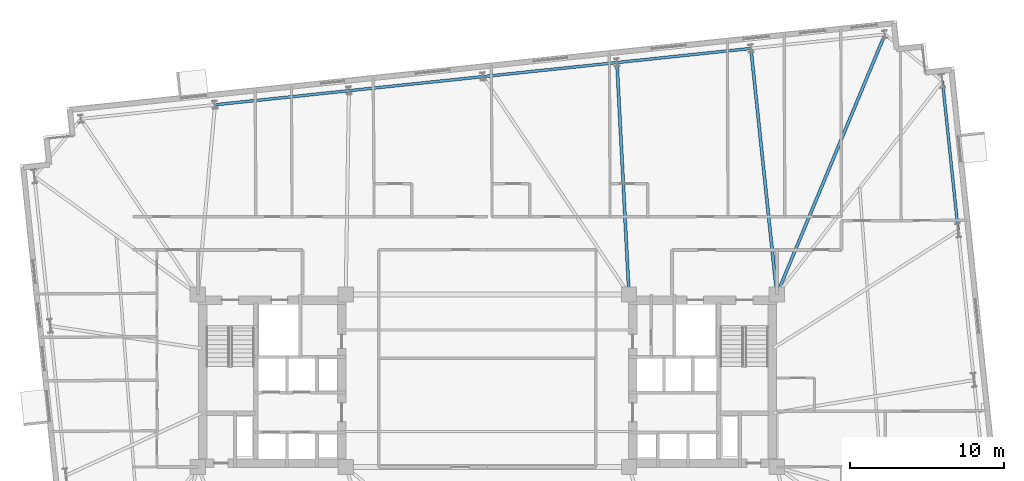
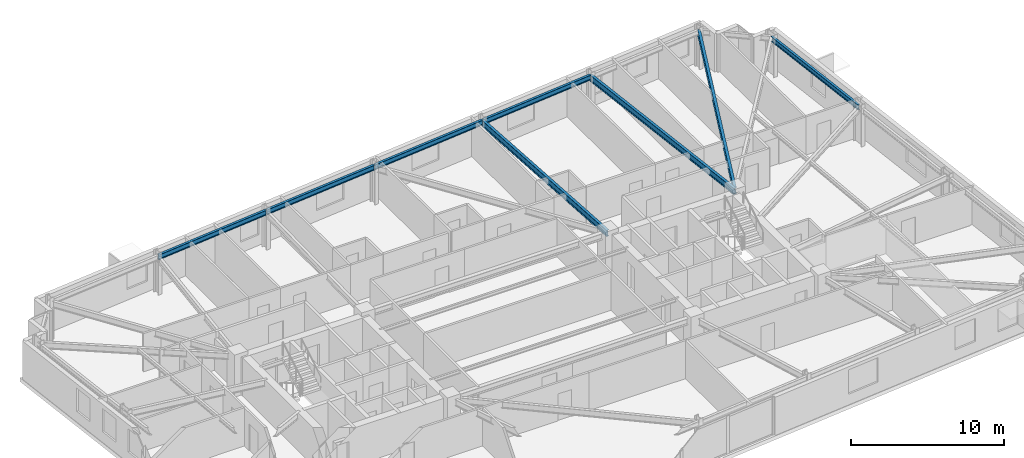
# One storey, part 13 of 23: 8 beams.
"""IFC4 building model written with IfcOpenShell, lengths in metres."""

from ifc_helpers import new_model, si_unit, direction, frame, origin, origin_2d, place, context, subcontext, project, spatial, i_section, extrude, material, material_profile, profile_set, type_object, element, save


model = new_model("IFC4")

# Units and contexts
model_context = context("Model", 3, precision=1e-05, world=origin(), true_north=direction((0.0, 1.0)))
body_context = subcontext(model_context, "Body", "Model", "MODEL_VIEW")
ifc_project = project(units=[si_unit("LENGTHUNIT", "METRE"), si_unit("AREAUNIT", "SQUARE_METRE"), si_unit("VOLUMEUNIT", "CUBIC_METRE"), si_unit("PLANEANGLEUNIT", "RADIAN"), si_unit("MASSUNIT", "GRAM", prefix="KILO")], contexts=[model_context])

# Site, building, storey
site_placement = place(None, origin())
site = spatial("IfcSite", under=ifc_project, at=site_placement, CompositionType="ELEMENT")
building_placement = place(site_placement, origin())
building = spatial("IfcBuilding", under=site, at=building_placement, Name="Qobustan Lattice House", CompositionType="ELEMENT")
storey_placement = place(building_placement, frame((0.0, 0.0, 95.75)))
storey = spatial("IfcBuildingStorey", under=building, at=storey_placement, Name="L26", CompositionType="ELEMENT", Elevation=95.75)

# Beams
ifc_material_1 = material(Name="Steel S355", Category="steel")
ifc_material_profile_1 = material_profile(ifc_material_1, i_section(OverallWidth=0.199951171875, OverallDepth=0.5, WebThickness=0.01025390625, FlangeThickness=0.01611328125, FilletRadius=0.02099609375, at=origin_2d()), Name="IPE500")
ifc_profile_set_1 = profile_set([ifc_material_profile_1], Name="Steel S355")
beam_type_1 = type_object("IfcBeamType", Name="BM-FLG-IPE500", PredefinedType="USERDEFINED", material=ifc_profile_set_1)
beam_1_placement = place(storey_placement, frame((8.41650390625, 20.640625, 2.794921875), z_axis=(0.052023629628, -0.998645854125, 0.0), x_axis=(0.998645854125, 0.052023629628, 0.0)))
element("IfcBeam", 1, at=beam_1_placement, inside=storey, type_object=beam_type_1, Name="L26 primary floor girder RAD-N3", ObjectType="GIRDER", PredefinedType="USERDEFINED", context=body_context, shape_type="SweptSolid", body=[
    extrude(i_section(OverallWidth=0.199951171875, OverallDepth=0.5, WebThickness=0.01025390625, FlangeThickness=0.01611328125, FilletRadius=0.02099609375, at=origin_2d()), origin(), (0.0, 0.0, 1.0), 15.035888671875),
])
beam_2_placement = place(storey_placement, frame((17.1201171875, 21.555419921875, 2.794921875), z_axis=(0.104706999053, -0.994503114298, 0.0), x_axis=(0.994503114298, 0.104706999053, 0.0)))
element("IfcBeam", 2, at=beam_2_placement, inside=storey, type_object=beam_type_1, Name="L26 primary floor girder RAD-N2", ObjectType="GIRDER", PredefinedType="USERDEFINED", context=body_context, shape_type="SweptSolid", body=[
    extrude(i_section(OverallWidth=0.199951171875, OverallDepth=0.5, WebThickness=0.01025390625, FlangeThickness=0.01611328125, FilletRadius=0.02099609375, at=origin_2d()), origin(), (0.0, 0.0, 1.0), 16.0185546875),
])
beam_3_placement = place(storey_placement, frame((25.809814453125, 22.471923828125, 2.794921875), z_axis=(-0.383675501465, -0.923467979724, 0.0), x_axis=(0.923467979724, -0.383675501465, 0.0)))
element("IfcBeam", 3, at=beam_3_placement, inside=storey, type_object=beam_type_1, Name="L26 primary floor girder RAD-N1E", ObjectType="GIRDER", PredefinedType="USERDEFINED", context=body_context, shape_type="SweptSolid", body=[
    extrude(i_section(OverallWidth=0.199951171875, OverallDepth=0.5, WebThickness=0.01025390625, FlangeThickness=0.01611328125, FilletRadius=0.02099609375, at=origin_2d()), origin(), (0.0, 0.0, 1.0), 18.2451171875),
])
ifc_material_2 = material(Name="Steel S355", Category="steel")
ifc_material_profile_2 = material_profile(ifc_material_2, i_section(OverallWidth=0.179931640625, OverallDepth=0.39990234375, WebThickness=0.008544921875, FlangeThickness=0.013427734375, FilletRadius=0.02099609375, at=origin_2d()), Name="IPE400")
ifc_profile_set_2 = profile_set([ifc_material_profile_2], Name="Steel S355")
beam_type_2 = type_object("IfcBeamType", Name="BM-SPD-IPE400", PredefinedType="SPANDREL", material=ifc_profile_set_2)
beam_4_placement = place(storey_placement, frame((30.574462890625, 9.78076171875, 2.844970703125), z_axis=(-0.104525214252, 0.994522236848, 0.0), x_axis=(-0.994522236848, -0.104525214252, 0.0)))
element("IfcBeam", 4, at=beam_4_placement, inside=storey, type_object=beam_type_2, Name="L26 perimeter spandrel E3-E4", PredefinedType="SPANDREL", context=body_context, shape_type="SweptSolid", body=[
    extrude(i_section(OverallWidth=0.179931640625, OverallDepth=0.39990234375, WebThickness=0.008544921875, FlangeThickness=0.013427734375, FilletRadius=0.02099609375, at=origin_2d()), origin(), (0.0, 0.0, 1.0), 9.716552734375),
])
beam_5_placement = place(storey_placement, frame((17.092529296875, 21.577880859375, 2.844970703125), z_axis=(-0.994518668742, -0.104559158006, 0.0), x_axis=(0.104559158006, -0.994518668742, 0.0)))
element("IfcBeam", 5, at=beam_5_placement, inside=storey, type_object=beam_type_2, Name="L26 perimeter spandrel N2-N3", PredefinedType="SPANDREL", context=body_context, shape_type="SweptSolid", body=[
    extrude(i_section(OverallWidth=0.179931640625, OverallDepth=0.39990234375, WebThickness=0.008544921875, FlangeThickness=0.013427734375, FilletRadius=0.02099609375, at=origin_2d()), origin(), (0.0, 0.0, 1.0), 8.699951171875),
])
beam_6_placement = place(storey_placement, frame((8.390380859375, 20.6630859375, 2.844970703125), z_axis=(-0.994521279781, -0.10453432002, 0.0), x_axis=(0.10453432002, -0.994521279781, 0.0)))
element("IfcBeam", 6, at=beam_6_placement, inside=storey, type_object=beam_type_2, Name="L26 perimeter spandrel N3-N4", PredefinedType="SPANDREL", context=body_context, shape_type="SweptSolid", body=[
    extrude(i_section(OverallWidth=0.179931640625, OverallDepth=0.39990234375, WebThickness=0.008544921875, FlangeThickness=0.013427734375, FilletRadius=0.02099609375, at=origin_2d()), origin(), (0.0, 0.0, 1.0), 8.69970703125),
])
for number, where, z_axis, x_axis, name in (
    (7, (-0.3115234375, 19.74853515625, 2.844970703125), (-0.994521586424, -0.104531402636, 0.0), (0.104531402636, -0.994521586424, 0.0), "L26 perimeter spandrel N4-N5"),
    (8, (-9.013671875, 18.833984375, 2.844970703125), (-0.994521586424, -0.104531402636, 0.0), (0.104531402636, -0.994521586424, 0.0), "L26 perimeter spandrel N5-N6"),
):
    element("IfcBeam", number, at=place(storey_placement, frame(where, z_axis=z_axis, x_axis=x_axis)), inside=storey, type_object=beam_type_2, Name=name, PredefinedType="SPANDREL", context=body_context, shape_type="SweptSolid", body=[
        extrude(i_section(OverallWidth=0.179931640625, OverallDepth=0.39990234375, WebThickness=0.008544921875, FlangeThickness=0.013427734375, FilletRadius=0.02099609375, at=origin_2d()), origin(), (0.0, 0.0, 1.0), 8.699951171875),
    ])

save(model, "model.ifc")
